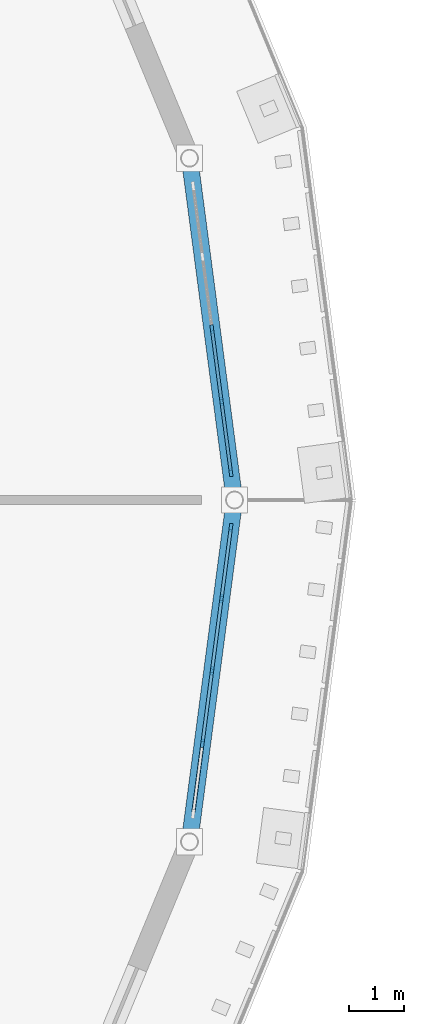
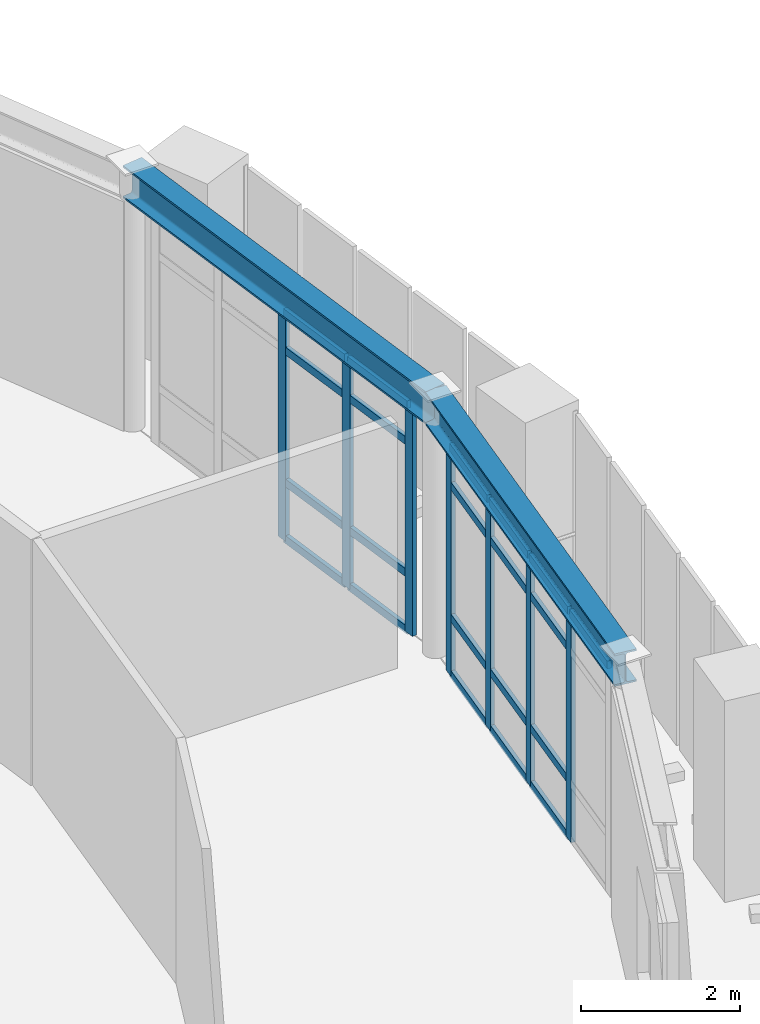
# One storey, part 24 of 58: 28 members, 2 beams, 2 elements without a shape of their own.
"""IFC4 building model written with IfcOpenShell, lengths in metres."""

from ifc_helpers import new_model, si_unit, derived_unit, direction, frame, origin, origin_2d, place, context, subcontext, project, spatial, rectangle, i_section, extrude, material, layer, layer_set, material_profile, profile_set, type_object, element, aggregate, save


model = new_model("IFC4")

# Units and contexts
model_context = context("Model", 3, precision=1e-05, world=origin(), true_north=direction((0.0, 1.0)))
body_context = subcontext(model_context, "Body", "Model", "MODEL_VIEW")
ifc_project = project(units=[si_unit("LENGTHUNIT", "METRE"), si_unit("AREAUNIT", "SQUARE_METRE"), si_unit("VOLUMEUNIT", "CUBIC_METRE"), si_unit("PLANEANGLEUNIT", "RADIAN"), si_unit("MASSUNIT", "GRAM", prefix="KILO"), derived_unit("THERMALTRANSMITTANCEUNIT", [(si_unit("POWERUNIT", "WATT"), 1), (si_unit("AREAUNIT", "SQUARE_METRE"), -1), (si_unit("THERMODYNAMICTEMPERATUREUNIT", "KELVIN"), -1)])], contexts=[model_context])

# Site, building, storey
site_placement = place(None, origin())
site = spatial("IfcSite", under=ifc_project, at=site_placement, CompositionType="ELEMENT")
building_placement = place(site_placement, origin())
building = spatial("IfcBuilding", under=site, at=building_placement, Name="Yasenodar Specialist Clinic", CompositionType="ELEMENT")
storey_placement = place(building_placement, frame((0.0, 0.0, 17.25)))
storey = spatial("IfcBuildingStorey", under=building, at=storey_placement, Name="L04", CompositionType="ELEMENT", Elevation=17.25)

# Beams
ifc_material_1 = material(Name="Steel S355", Category="steel")
ifc_material_profile_1 = material_profile(ifc_material_1, i_section(OverallWidth=0.300048828125, OverallDepth=0.5, WebThickness=0.014404296875, FlangeThickness=0.028076171875, FilletRadius=0.027099609375, at=origin_2d()), Name="HEB 500")
ifc_profile_set_1 = profile_set([ifc_material_profile_1], Name="Steel S355")
beam_type = type_object("IfcBeamType", Name="BM-HEB500", PredefinedType="BEAM", material=ifc_profile_set_1)
for number, where, z_axis, x_axis, name in (
    (1, (105.0, 58.800048828125, 3.800048828125), (-0.130540192224, 0.991443018138, 0.0), (-0.991443018138, -0.130540192224, 0.0), "L04 Drum V1 Roof Ring Beam"),
    (2, (104.18212890625, 52.58837890625, 3.800048828125), (0.130540192224, 0.991443018138, 0.0), (-0.991443018138, 0.130540192224, 0.0), "L04 Drum V1 Roof Ring Beam"),
):
    element("IfcBeam", number, at=place(storey_placement, frame(where, z_axis=z_axis, x_axis=x_axis)), inside=storey, type_object=beam_type, Name=name, PredefinedType="BEAM", context=body_context, shape_type="SweptSolid", body=[
        extrude(i_section(OverallWidth=0.300048828125, OverallDepth=0.5, WebThickness=0.014404296875, FlangeThickness=0.028076171875, FilletRadius=0.027099609375, at=origin_2d()), origin(), (0.0, 0.0, 1.0), 6.265380859375),
    ])

# Curtain wall, members
ifc_material_2 = material(Name="Bronze Anodized Aluminium and Triple Low-E Glass", Category="aluminium")
ifc_layer = layer(ifc_material_2, 0.1669921875)
ifc_layer_set = layer_set([ifc_layer], Name="Bronze Anodized Aluminium and Triple Low-E Glass")
curtain_wall_type = type_object("IfcCurtainWallType", Name="CW-SYS-01", PredefinedType="USERDEFINED", material=ifc_layer_set)
curtain_wall_1_placement = place(storey_placement, origin())
curtain_wall_1 = element("IfcCurtainWall", 3, at=curtain_wall_1_placement, inside=storey, type_object=curtain_wall_type, Name="L04 Unitised Curtain Wall 056", ObjectType="UNITISED CURTAIN WALL", PredefinedType="USERDEFINED")
ifc_material_3 = material(Name="Bronze Anodized Aluminium", Category="aluminium")
ifc_material_profile_2 = material_profile(ifc_material_3, rectangle(XDim=0.06005859375, YDim=0.159912109375, at=origin_2d()), Name="CW-MULL 60x160")
ifc_profile_set_2 = profile_set([ifc_material_profile_2], Name="Bronze Anodized Aluminium")
member_type_1 = type_object("IfcMemberType", Name="CW-MULL-160", PredefinedType="MULLION", material=ifc_profile_set_2)
member_1_placement = place(storey_placement, frame((104.591064453125, 61.90576171875, 0.0), z_axis=(0.0, 0.0, 1.0), x_axis=(0.991446787601, 0.13051156024, 0.0)))
member_1 = element("IfcMember", 4, at=member_1_placement, type_object=member_type_1, Name="CW-01 mullion 3", PredefinedType="MULLION", context=body_context, shape_type="SweptSolid", body=[
    extrude(rectangle(XDim=0.06005859375, YDim=0.159912109375, at=origin_2d()), origin(), (0.0, 0.0, 1.0), 3.528076171875),
])
member_2_placement = place(storey_placement, frame((104.76416015625, 60.5908203125, 0.0), z_axis=(0.0, 0.0, 1.0), x_axis=(0.991446787601, 0.13051156024, 0.0)))
member_2 = element("IfcMember", 5, at=member_2_placement, type_object=member_type_1, Name="CW-01 mullion 4", PredefinedType="MULLION", context=body_context, shape_type="SweptSolid", body=[
    extrude(rectangle(XDim=0.06005859375, YDim=0.159912109375, at=origin_2d()), origin(), (0.0, 0.0, 1.0), 3.528076171875),
])
member_3_placement = place(storey_placement, frame((104.933349609375, 59.3056640625, 0.0), z_axis=(0.0, 0.0, 1.0), x_axis=(0.991446787601, 0.13051156024, 0.0)))
member_3 = element("IfcMember", 6, at=member_3_placement, type_object=member_type_1, Name="CW-01 mullion 5", PredefinedType="MULLION", context=body_context, shape_type="SweptSolid", body=[
    extrude(rectangle(XDim=0.06005859375, YDim=0.159912109375, at=origin_2d()), origin(), (0.0, 0.0, 1.0), 3.528076171875),
])

curtain_wall_2_placement = place(storey_placement, origin())
curtain_wall_2 = element("IfcCurtainWall", 7, at=curtain_wall_2_placement, inside=storey, type_object=curtain_wall_type, Name="L04 Unitised Curtain Wall 071", ObjectType="UNITISED CURTAIN WALL", PredefinedType="USERDEFINED")
member_4_placement = place(storey_placement, frame((104.933349609375, 58.29443359375, 0.0), z_axis=(0.0, 0.0, 1.0), x_axis=(0.991446787601, -0.13051156024, 0.0)))
member_4 = element("IfcMember", 8, at=member_4_placement, type_object=member_type_1, Name="CW-01 mullion 1", PredefinedType="MULLION", context=body_context, shape_type="SweptSolid", body=[
    extrude(rectangle(XDim=0.06005859375, YDim=0.159912109375, at=origin_2d()), origin(), (0.0, 0.0, 1.0), 3.528076171875),
])
member_5_placement = place(storey_placement, frame((104.76416015625, 57.009033203125, 0.0), z_axis=(0.0, 0.0, 1.0), x_axis=(0.991446787601, -0.13051156024, 0.0)))
member_5 = element("IfcMember", 9, at=member_5_placement, type_object=member_type_1, Name="CW-01 mullion 2", PredefinedType="MULLION", context=body_context, shape_type="SweptSolid", body=[
    extrude(rectangle(XDim=0.06005859375, YDim=0.159912109375, at=origin_2d()), origin(), (0.0, 0.0, 1.0), 3.528076171875),
])
member_6_placement = place(storey_placement, frame((104.591064453125, 55.694091796875, 0.0), z_axis=(0.0, 0.0, 1.0), x_axis=(0.991446787601, -0.13051156024, 0.0)))
member_6 = element("IfcMember", 10, at=member_6_placement, type_object=member_type_1, Name="CW-01 mullion 3", PredefinedType="MULLION", context=body_context, shape_type="SweptSolid", body=[
    extrude(rectangle(XDim=0.06005859375, YDim=0.159912109375, at=origin_2d()), origin(), (0.0, 0.0, 1.0), 3.528076171875),
])
member_7_placement = place(storey_placement, frame((104.41796875, 54.379150390625, 0.0), z_axis=(0.0, 0.0, 1.0), x_axis=(0.991446787601, -0.13051156024, 0.0)))
member_7 = element("IfcMember", 11, at=member_7_placement, type_object=member_type_1, Name="CW-01 mullion 4", PredefinedType="MULLION", context=body_context, shape_type="SweptSolid", body=[
    extrude(rectangle(XDim=0.06005859375, YDim=0.159912109375, at=origin_2d()), origin(), (0.0, 0.0, 1.0), 3.528076171875),
])

# Member
ifc_material_profile_3 = material_profile(ifc_material_3, rectangle(XDim=0.06005859375, YDim=0.1201171875, at=origin_2d()), Name="CW-TRAN 60x120")
ifc_profile_set_3 = profile_set([ifc_material_profile_3], Name="Bronze Anodized Aluminium")
member_type_2 = type_object("IfcMemberType", Name="CW-TRAN-120", PredefinedType="USERDEFINED", material=ifc_profile_set_3)
member_8_placement = place(storey_placement, frame((104.594970703125, 61.876220703125, 0.030029296875), z_axis=(0.13050936627, -0.991447076407, 0.0), x_axis=(0.991447076407, 0.13050936627, 0.0)))
member_8 = element("IfcMember", 12, at=member_8_placement, type_object=member_type_2, Name="CW-01 transom 3.1", ObjectType="TRANSOM", PredefinedType="USERDEFINED", context=body_context, shape_type="SweptSolid", body=[
    extrude(rectangle(XDim=0.06005859375, YDim=0.1201171875, at=origin_2d()), origin(), (0.0, 0.0, 1.0), 1.266357421875),
])

member_9_placement = place(storey_placement, frame((104.594970703125, 61.876220703125, 0.89990234375), z_axis=(0.13050936627, -0.991447076407, 0.0), x_axis=(0.991447076407, 0.13050936627, 0.0)))
member_9 = element("IfcMember", 13, at=member_9_placement, type_object=member_type_2, Name="CW-01 transom 3.2", ObjectType="TRANSOM", PredefinedType="USERDEFINED", context=body_context, shape_type="SweptSolid", body=[
    extrude(rectangle(XDim=0.06005859375, YDim=0.1201171875, at=origin_2d()), origin(), (0.0, 0.0, 1.0), 1.266357421875),
])

member_10_placement = place(storey_placement, frame((104.594970703125, 61.876220703125, 2.927978515625), z_axis=(0.13050936627, -0.991447076407, 0.0), x_axis=(0.991447076407, 0.13050936627, 0.0)))
member_10 = element("IfcMember", 14, at=member_10_placement, type_object=member_type_2, Name="CW-01 transom 3.3", ObjectType="TRANSOM", PredefinedType="USERDEFINED", context=body_context, shape_type="SweptSolid", body=[
    extrude(rectangle(XDim=0.06005859375, YDim=0.1201171875, at=origin_2d()), origin(), (0.0, 0.0, 1.0), 1.266357421875),
])

member_11_placement = place(storey_placement, frame((104.594970703125, 61.876220703125, 3.498046875), z_axis=(0.13050936627, -0.991447076407, 0.0), x_axis=(0.991447076407, 0.13050936627, 0.0)))
member_11 = element("IfcMember", 15, at=member_11_placement, type_object=member_type_2, Name="CW-01 transom 3.4", ObjectType="TRANSOM", PredefinedType="USERDEFINED", context=body_context, shape_type="SweptSolid", body=[
    extrude(rectangle(XDim=0.06005859375, YDim=0.1201171875, at=origin_2d()), origin(), (0.0, 0.0, 1.0), 1.266357421875),
])

member_12_placement = place(storey_placement, frame((104.76806640625, 60.56103515625, 0.030029296875), z_axis=(0.130546471803, -0.991442191305, 0.0), x_axis=(0.991442191305, 0.130546471803, 0.0)))
member_12 = element("IfcMember", 16, at=member_12_placement, type_object=member_type_2, Name="CW-01 transom 4.1", ObjectType="TRANSOM", PredefinedType="USERDEFINED", context=body_context, shape_type="SweptSolid", body=[
    extrude(rectangle(XDim=0.06005859375, YDim=0.1201171875, at=origin_2d()), origin(), (0.0, 0.0, 1.0), 1.236083984375),
])

member_13_placement = place(storey_placement, frame((104.76806640625, 60.56103515625, 0.89990234375), z_axis=(0.130546471803, -0.991442191305, 0.0), x_axis=(0.991442191305, 0.130546471803, 0.0)))
member_13 = element("IfcMember", 17, at=member_13_placement, type_object=member_type_2, Name="CW-01 transom 4.2", ObjectType="TRANSOM", PredefinedType="USERDEFINED", context=body_context, shape_type="SweptSolid", body=[
    extrude(rectangle(XDim=0.06005859375, YDim=0.1201171875, at=origin_2d()), origin(), (0.0, 0.0, 1.0), 1.236083984375),
])

member_14_placement = place(storey_placement, frame((104.76806640625, 60.56103515625, 2.927978515625), z_axis=(0.130546471803, -0.991442191305, 0.0), x_axis=(0.991442191305, 0.130546471803, 0.0)))
member_14 = element("IfcMember", 18, at=member_14_placement, type_object=member_type_2, Name="CW-01 transom 4.3", ObjectType="TRANSOM", PredefinedType="USERDEFINED", context=body_context, shape_type="SweptSolid", body=[
    extrude(rectangle(XDim=0.06005859375, YDim=0.1201171875, at=origin_2d()), origin(), (0.0, 0.0, 1.0), 1.236083984375),
])

member_15_placement = place(storey_placement, frame((104.76806640625, 60.56103515625, 3.498046875), z_axis=(0.130546471803, -0.991442191305, 0.0), x_axis=(0.991442191305, 0.130546471803, 0.0)))
member_15 = element("IfcMember", 19, at=member_15_placement, type_object=member_type_2, Name="CW-01 transom 4.4", ObjectType="TRANSOM", PredefinedType="USERDEFINED", context=body_context, shape_type="SweptSolid", body=[
    extrude(rectangle(XDim=0.06005859375, YDim=0.1201171875, at=origin_2d()), origin(), (0.0, 0.0, 1.0), 1.236083984375),
])

aggregate(curtain_wall_1, [member_1, member_2, member_3, member_8, member_9, member_10, member_11, member_12, member_13, member_14, member_15])

member_16_placement = place(storey_placement, frame((104.929443359375, 58.2646484375, 0.030029296875), z_axis=(-0.130520914683, -0.99144555616, 0.0), x_axis=(0.99144555616, -0.130520914683, 0.0)))
member_16 = element("IfcMember", 20, at=member_16_placement, type_object=member_type_2, Name="CW-01 transom 1.1", ObjectType="TRANSOM", PredefinedType="USERDEFINED", context=body_context, shape_type="SweptSolid", body=[
    extrude(rectangle(XDim=0.06005859375, YDim=0.1201171875, at=origin_2d()), origin(), (0.0, 0.0, 1.0), 1.236328125),
])

member_17_placement = place(storey_placement, frame((104.929443359375, 58.2646484375, 0.89990234375), z_axis=(-0.130520914683, -0.99144555616, 0.0), x_axis=(0.99144555616, -0.130520914683, 0.0)))
member_17 = element("IfcMember", 21, at=member_17_placement, type_object=member_type_2, Name="CW-01 transom 1.2", ObjectType="TRANSOM", PredefinedType="USERDEFINED", context=body_context, shape_type="SweptSolid", body=[
    extrude(rectangle(XDim=0.06005859375, YDim=0.1201171875, at=origin_2d()), origin(), (0.0, 0.0, 1.0), 1.236328125),
])

member_18_placement = place(storey_placement, frame((104.929443359375, 58.2646484375, 2.927978515625), z_axis=(-0.130520914683, -0.99144555616, 0.0), x_axis=(0.99144555616, -0.130520914683, 0.0)))
member_18 = element("IfcMember", 22, at=member_18_placement, type_object=member_type_2, Name="CW-01 transom 1.3", ObjectType="TRANSOM", PredefinedType="USERDEFINED", context=body_context, shape_type="SweptSolid", body=[
    extrude(rectangle(XDim=0.06005859375, YDim=0.1201171875, at=origin_2d()), origin(), (0.0, 0.0, 1.0), 1.236328125),
])

member_19_placement = place(storey_placement, frame((104.929443359375, 58.2646484375, 3.498046875), z_axis=(-0.130520914683, -0.99144555616, 0.0), x_axis=(0.99144555616, -0.130520914683, 0.0)))
member_19 = element("IfcMember", 23, at=member_19_placement, type_object=member_type_2, Name="CW-01 transom 1.4", ObjectType="TRANSOM", PredefinedType="USERDEFINED", context=body_context, shape_type="SweptSolid", body=[
    extrude(rectangle(XDim=0.06005859375, YDim=0.1201171875, at=origin_2d()), origin(), (0.0, 0.0, 1.0), 1.236328125),
])

member_20_placement = place(storey_placement, frame((104.76025390625, 56.9794921875, 0.030029296875), z_axis=(-0.13050936627, -0.991447076407, 0.0), x_axis=(0.991447076407, -0.13050936627, 0.0)))
member_20 = element("IfcMember", 24, at=member_20_placement, type_object=member_type_2, Name="CW-01 transom 2.1", ObjectType="TRANSOM", PredefinedType="USERDEFINED", context=body_context, shape_type="SweptSolid", body=[
    extrude(rectangle(XDim=0.06005859375, YDim=0.1201171875, at=origin_2d()), origin(), (0.0, 0.0, 1.0), 1.266357421875),
])

member_21_placement = place(storey_placement, frame((104.76025390625, 56.9794921875, 0.89990234375), z_axis=(-0.13050936627, -0.991447076407, 0.0), x_axis=(0.991447076407, -0.13050936627, 0.0)))
member_21 = element("IfcMember", 25, at=member_21_placement, type_object=member_type_2, Name="CW-01 transom 2.2", ObjectType="TRANSOM", PredefinedType="USERDEFINED", context=body_context, shape_type="SweptSolid", body=[
    extrude(rectangle(XDim=0.06005859375, YDim=0.1201171875, at=origin_2d()), origin(), (0.0, 0.0, 1.0), 1.266357421875),
])

member_22_placement = place(storey_placement, frame((104.76025390625, 56.9794921875, 2.927978515625), z_axis=(-0.13050936627, -0.991447076407, 0.0), x_axis=(0.991447076407, -0.13050936627, 0.0)))
member_22 = element("IfcMember", 26, at=member_22_placement, type_object=member_type_2, Name="CW-01 transom 2.3", ObjectType="TRANSOM", PredefinedType="USERDEFINED", context=body_context, shape_type="SweptSolid", body=[
    extrude(rectangle(XDim=0.06005859375, YDim=0.1201171875, at=origin_2d()), origin(), (0.0, 0.0, 1.0), 1.266357421875),
])

member_23_placement = place(storey_placement, frame((104.76025390625, 56.9794921875, 3.498046875), z_axis=(-0.13050936627, -0.991447076407, 0.0), x_axis=(0.991447076407, -0.13050936627, 0.0)))
member_23 = element("IfcMember", 27, at=member_23_placement, type_object=member_type_2, Name="CW-01 transom 2.4", ObjectType="TRANSOM", PredefinedType="USERDEFINED", context=body_context, shape_type="SweptSolid", body=[
    extrude(rectangle(XDim=0.06005859375, YDim=0.1201171875, at=origin_2d()), origin(), (0.0, 0.0, 1.0), 1.266357421875),
])

member_24_placement = place(storey_placement, frame((104.587158203125, 55.664306640625, 0.030029296875), z_axis=(-0.13053431489, -0.99144379197, 0.0), x_axis=(0.99144379197, -0.13053431489, 0.0)))
member_24 = element("IfcMember", 28, at=member_24_placement, type_object=member_type_2, Name="CW-01 transom 3.1", ObjectType="TRANSOM", PredefinedType="USERDEFINED", context=body_context, shape_type="SweptSolid", body=[
    extrude(rectangle(XDim=0.06005859375, YDim=0.1201171875, at=origin_2d()), origin(), (0.0, 0.0, 1.0), 1.26611328125),
])

member_25_placement = place(storey_placement, frame((104.587158203125, 55.664306640625, 0.89990234375), z_axis=(-0.13053431489, -0.99144379197, 0.0), x_axis=(0.99144379197, -0.13053431489, 0.0)))
member_25 = element("IfcMember", 29, at=member_25_placement, type_object=member_type_2, Name="CW-01 transom 3.2", ObjectType="TRANSOM", PredefinedType="USERDEFINED", context=body_context, shape_type="SweptSolid", body=[
    extrude(rectangle(XDim=0.06005859375, YDim=0.1201171875, at=origin_2d()), origin(), (0.0, 0.0, 1.0), 1.26611328125),
])

member_26_placement = place(storey_placement, frame((104.587158203125, 55.664306640625, 2.927978515625), z_axis=(-0.13053431489, -0.99144379197, 0.0), x_axis=(0.99144379197, -0.13053431489, 0.0)))
member_26 = element("IfcMember", 30, at=member_26_placement, type_object=member_type_2, Name="CW-01 transom 3.3", ObjectType="TRANSOM", PredefinedType="USERDEFINED", context=body_context, shape_type="SweptSolid", body=[
    extrude(rectangle(XDim=0.06005859375, YDim=0.1201171875, at=origin_2d()), origin(), (0.0, 0.0, 1.0), 1.26611328125),
])

member_27_placement = place(storey_placement, frame((104.587158203125, 55.664306640625, 3.498046875), z_axis=(-0.13053431489, -0.99144379197, 0.0), x_axis=(0.99144379197, -0.13053431489, 0.0)))
member_27 = element("IfcMember", 31, at=member_27_placement, type_object=member_type_2, Name="CW-01 transom 3.4", ObjectType="TRANSOM", PredefinedType="USERDEFINED", context=body_context, shape_type="SweptSolid", body=[
    extrude(rectangle(XDim=0.06005859375, YDim=0.1201171875, at=origin_2d()), origin(), (0.0, 0.0, 1.0), 1.26611328125),
])

member_28_placement = place(storey_placement, frame((104.4140625, 54.349365234375, 3.498046875), z_axis=(-0.130546471803, -0.991442191305, 0.0), x_axis=(0.991442191305, -0.130546471803, 0.0)))
member_28 = element("IfcMember", 32, at=member_28_placement, type_object=member_type_2, Name="CW-01 transom 4.4", ObjectType="TRANSOM", PredefinedType="USERDEFINED", context=body_context, shape_type="SweptSolid", body=[
    extrude(rectangle(XDim=0.06005859375, YDim=0.1201171875, at=origin_2d()), origin(), (0.0, 0.0, 1.0), 1.236083984375),
])

aggregate(curtain_wall_2, [member_4, member_5, member_6, member_7, member_16, member_17, member_18, member_19, member_20, member_21, member_22, member_23, member_24, member_25, member_26, member_27, member_28])

save(model, "model.ifc")
